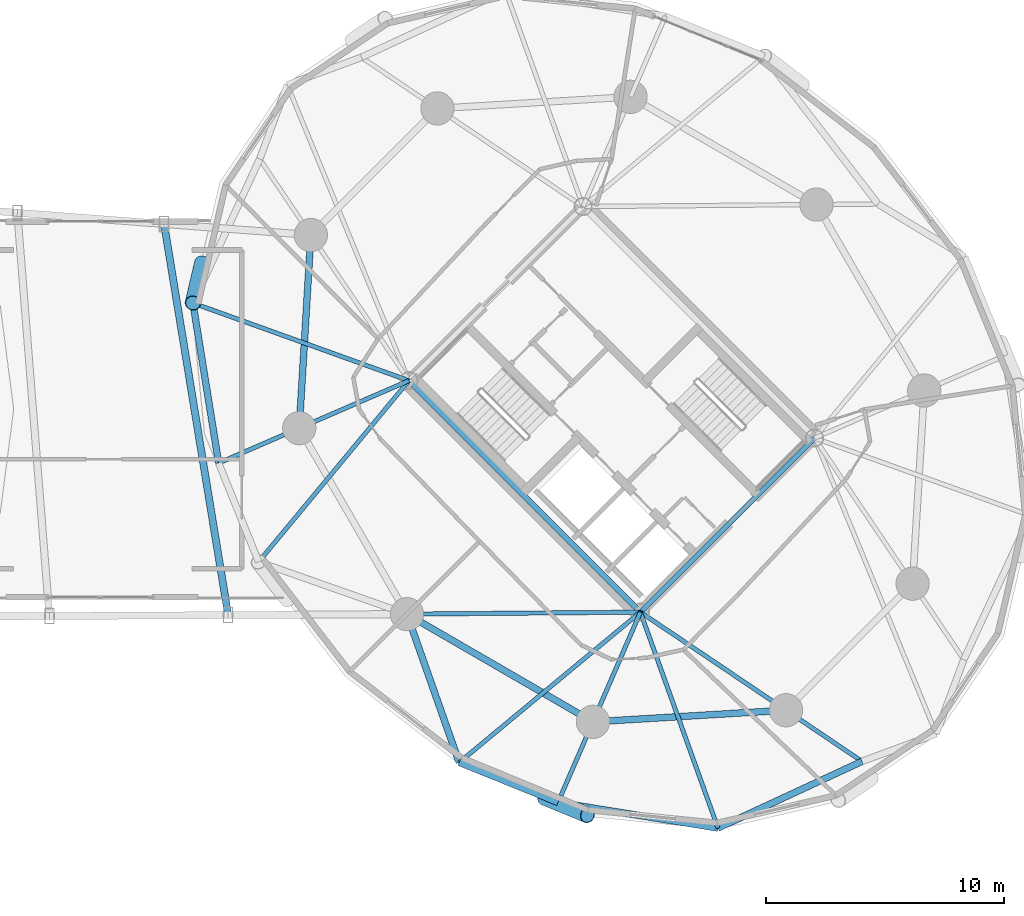
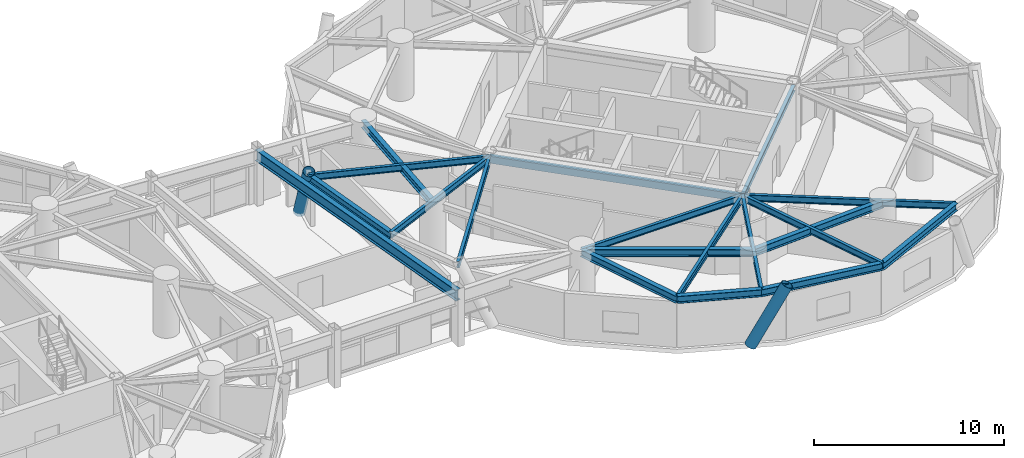
# One storey, part 5 of 19: 19 beams, 2 members.
"""IFC4 building model written with IfcOpenShell, lengths in metres."""

from ifc_helpers import new_model, si_unit, direction, frame, origin, origin_2d, place, context, subcontext, project, spatial, hollow_rectangle, hollow_circle, i_section, extrude, material, material_profile, profile_set, type_object, element, save


model = new_model("IFC4")

# Units and contexts
model_context = context("Model", 3, precision=1e-05, world=origin(), true_north=direction((0.0, 1.0)))
body_context = subcontext(model_context, "Body", "Model", "MODEL_VIEW")
ifc_project = project(units=[si_unit("LENGTHUNIT", "METRE"), si_unit("AREAUNIT", "SQUARE_METRE"), si_unit("VOLUMEUNIT", "CUBIC_METRE"), si_unit("PLANEANGLEUNIT", "RADIAN"), si_unit("MASSUNIT", "GRAM", prefix="KILO")], contexts=[model_context])

# Site, building, storey
site_placement = place(None, origin())
site = spatial("IfcSite", under=ifc_project, at=site_placement, CompositionType="ELEMENT")
building_placement = place(site_placement, origin())
building = spatial("IfcBuilding", under=site, at=building_placement, Name="Cununo Teusaquillo Station Towers", CompositionType="ELEMENT")
storey_placement = place(building_placement, frame((0.0, 0.0, 136.60009765625)))
storey = spatial("IfcBuildingStorey", under=building, at=storey_placement, Name="L43", CompositionType="ELEMENT", Elevation=136.60009765625)

# Beams
ifc_material_1 = material(Name="Steel EN 10025-2 S355J2", Category="steel")
ifc_material_profile_1 = material_profile(ifc_material_1, i_section(OverallWidth=0.300048828125, OverallDepth=0.699951171875, WebThickness=0.01708984375, FlangeThickness=0.031982421875, FilletRadius=0.027099609375, at=origin_2d()), Name="HEB 700")
ifc_profile_set_1 = profile_set([ifc_material_profile_1], Name="Steel EN 10025-2 S355J2")
beam_type_1 = type_object("IfcBeamType", Name="BM-BRG-FLR", PredefinedType="BEAM", material=ifc_profile_set_1)
beam_1_placement = place(storey_placement, frame((41.377685546875, 15.8525390625, 3.08984375), z_axis=(-0.161629984279, 0.986851431666, 0.0), x_axis=(-0.986851431666, -0.161629984279, 0.0)))
element("IfcBeam", 1, at=beam_1_placement, inside=storey, type_object=beam_type_1, Name="L43 Mid-Bridge Transverse Floor Girder 2", PredefinedType="BEAM", context=body_context, shape_type="SweptSolid", body=[
    extrude(i_section(OverallWidth=0.300048828125, OverallDepth=0.699951171875, WebThickness=0.01708984375, FlangeThickness=0.031982421875, FilletRadius=0.027099609375, at=origin_2d()), origin(), (0.0, 0.0, 1.0), 16.66064453125),
])
ifc_material_2 = material(Name="Steel EN 10025-2 S355J2", Category="steel")
ifc_material_profile_2 = material_profile(ifc_material_2, hollow_rectangle(XDim=0.25, YDim=0.449951171875, WallThickness=0.01611328125, at=origin_2d()), Name="RHS 450x250x16")
ifc_profile_set_2 = profile_set([ifc_material_profile_2], Name="Steel EN 10025-2 S355J2")
beam_type_2 = type_object("IfcBeamType", Name="BM-COUP-1", PredefinedType="USERDEFINED", material=ifc_profile_set_2)
beam_2_placement = place(storey_placement, frame((58.70556640625, 15.975830078125, 3.21484375), z_axis=(-0.707106781187, 0.707106781187, 0.0), x_axis=(-0.707106781187, -0.707106781187, 0.0)))
element("IfcBeam", 2, at=beam_2_placement, inside=storey, type_object=beam_type_2, Name="L43 Tower B Core Beam 1", ObjectType="COUPLING BEAM", PredefinedType="USERDEFINED", context=body_context, shape_type="SweptSolid", body=[
    extrude(hollow_rectangle(XDim=0.25, YDim=0.449951171875, WallThickness=0.01611328125, at=origin_2d()), origin(), (0.0, 0.0, 1.0), 13.760009765625),
])
ifc_material_3 = material(Name="Steel ASTM A572 Grade 50", Category="steel")
ifc_material_profile_3 = material_profile(ifc_material_3, i_section(OverallWidth=0.180908203125, OverallDepth=0.4169921875, WebThickness=0.010986328125, FlangeThickness=0.018310546875, FilletRadius=0.012939453125, at=origin_2d()), Name="W16X57")
ifc_profile_set_3 = profile_set([ifc_material_profile_3], Name="Steel ASTM A572 Grade 50")
beam_type_3 = type_object("IfcBeamType", Name="BM-JOIST-1", PredefinedType="JOIST", material=ifc_profile_set_3)
beam_3_placement = place(storey_placement, frame((48.975830078125, 25.70556640625, 3.2314453125), z_axis=(-0.941082771055, 0.338176312038, 0.0), x_axis=(-0.338176312038, -0.941082771055, 0.0)))
element("IfcBeam", 3, at=beam_3_placement, inside=storey, type_object=beam_type_3, Name="L43 Tower B Radial Spandrel Joist V07", PredefinedType="JOIST", context=body_context, shape_type="SweptSolid", body=[
    extrude(i_section(OverallWidth=0.180908203125, OverallDepth=0.4169921875, WebThickness=0.010986328125, FlangeThickness=0.018310546875, FilletRadius=0.012939453125, at=origin_2d()), origin(), (0.0, 0.0, 1.0), 9.646484375),
])
for number, where, z_axis, x_axis, name in (
    (4, (48.975830078125, 25.70556640625, 3.2314453125), (-0.638372238196, -0.769727799615, 0.0), (0.769727799615, -0.638372238196, 0.0), "L43 Tower B Radial Spandrel Joist V09"),
    (5, (58.70556640625, 15.975830078125, 3.2314453125), (-0.769727799615, -0.638372238196, 0.0), (0.638372238196, -0.769727799615, 0.0), "L43 Tower B Radial Spandrel Joist V11"),
):
    element("IfcBeam", number, at=place(storey_placement, frame(where, z_axis=z_axis, x_axis=x_axis)), inside=storey, type_object=beam_type_3, Name=name, PredefinedType="JOIST", context=body_context, shape_type="SweptSolid", body=[
        extrude(i_section(OverallWidth=0.180908203125, OverallDepth=0.4169921875, WebThickness=0.010986328125, FlangeThickness=0.018310546875, FilletRadius=0.012939453125, at=origin_2d()), origin(), (0.0, 0.0, 1.0), 9.895263671875),
    ])
beam_4_placement = place(storey_placement, frame((58.70556640625, 15.975830078125, 3.2314453125), z_axis=(0.338176312038, -0.941082771055, 0.0), x_axis=(0.941082771055, 0.338176312038, 0.0)))
element("IfcBeam", 6, at=beam_4_placement, inside=storey, type_object=beam_type_3, Name="L43 Tower B Radial Spandrel Joist V13", PredefinedType="JOIST", context=body_context, shape_type="SweptSolid", body=[
    extrude(i_section(OverallWidth=0.180908203125, OverallDepth=0.4169921875, WebThickness=0.010986328125, FlangeThickness=0.018310546875, FilletRadius=0.012939453125, at=origin_2d()), origin(), (0.0, 0.0, 1.0), 9.646484375),
])
ifc_material_4 = material(Name="Steel ASTM A572 Grade 50", Category="steel")
ifc_material_profile_4 = material_profile(ifc_material_4, i_section(OverallWidth=0.2041015625, OverallDepth=0.35009765625, WebThickness=0.008544921875, FlangeThickness=0.01513671875, FilletRadius=0.011962890625, at=origin_2d()), Name="W14X48")
ifc_profile_set_4 = profile_set([ifc_material_profile_4], Name="Steel ASTM A572 Grade 50")
beam_type_4 = type_object("IfcBeamType", Name="BM-LINTEL-1", PredefinedType="LINTEL", material=ifc_profile_set_4)
beam_5_placement = place(storey_placement, frame((58.70556640625, 15.975830078125, 3.264892578125), z_axis=(0.707106781187, 0.707106781187, 0.0), x_axis=(-0.707106781187, 0.707106781187, 0.0)))
element("IfcBeam", 7, at=beam_5_placement, inside=storey, type_object=beam_type_4, Name="L43 Tower B Core Beam 3", PredefinedType="LINTEL", context=body_context, shape_type="SweptSolid", body=[
    extrude(i_section(OverallWidth=0.2041015625, OverallDepth=0.35009765625, WebThickness=0.008544921875, FlangeThickness=0.01513671875, FilletRadius=0.011962890625, at=origin_2d()), origin(), (0.0, 0.0, 1.0), 10.35009765625),
])
ifc_material_5 = material(Name="Steel ASTM A572 Grade 50", Category="steel")
ifc_material_profile_5 = material_profile(ifc_material_5, i_section(OverallWidth=0.180908203125, OverallDepth=0.4169921875, WebThickness=0.010986328125, FlangeThickness=0.018310546875, FilletRadius=0.012939453125, at=origin_2d()), Name="W16X57")
ifc_profile_set_5 = profile_set([ifc_material_profile_5], Name="Steel ASTM A572 Grade 50")
beam_type_5 = type_object("IfcBeamType", Name="BM-RAD-G2", PredefinedType="BEAM", material=ifc_profile_set_5)
beam_6_placement = place(storey_placement, frame((48.975830078125, 25.70556640625, 3.2314453125), z_axis=(-0.917654733344, -0.397378648609, 0.0), x_axis=(0.397378648609, -0.917654733344, 0.0)))
element("IfcBeam", 8, at=beam_6_placement, inside=storey, type_object=beam_type_5, Name="L43 Tower B Continuous Overhanging Radial Girder 05", PredefinedType="BEAM", context=body_context, shape_type="SweptSolid", body=[
    extrude(i_section(OverallWidth=0.180908203125, OverallDepth=0.4169921875, WebThickness=0.010986328125, FlangeThickness=0.018310546875, FilletRadius=0.012939453125, at=origin_2d()), origin(), (0.0, 0.0, 1.0), 8.71484375),
])
beam_7_placement = place(storey_placement, frame((58.70556640625, 15.975830078125, 3.2314453125), z_axis=(-0.999964431382, -0.008434214327, 0.0), x_axis=(0.008434214327, -0.999964431382, 0.0)))
element("IfcBeam", 9, at=beam_7_placement, inside=storey, type_object=beam_type_5, Name="L43 Tower B Radial Girder 06A", PredefinedType="BEAM", context=body_context, shape_type="SweptSolid", body=[
    extrude(i_section(OverallWidth=0.180908203125, OverallDepth=0.4169921875, WebThickness=0.010986328125, FlangeThickness=0.018310546875, FilletRadius=0.012939453125, at=origin_2d()), origin(), (0.0, 0.0, 1.0), 9.812744140625),
])
beam_8_placement = place(storey_placement, frame((58.70556640625, 15.975830078125, 3.2314453125), z_axis=(-0.397378648609, -0.917654733344, 0.0), x_axis=(0.917654733344, -0.397378648609, 0.0)))
element("IfcBeam", 10, at=beam_8_placement, inside=storey, type_object=beam_type_5, Name="L43 Tower B Continuous Overhanging Radial Girder 07", PredefinedType="BEAM", context=body_context, shape_type="SweptSolid", body=[
    extrude(i_section(OverallWidth=0.180908203125, OverallDepth=0.4169921875, WebThickness=0.010986328125, FlangeThickness=0.018310546875, FilletRadius=0.012939453125, at=origin_2d()), origin(), (0.0, 0.0, 1.0), 8.71484375),
])
beam_9_placement = place(storey_placement, frame((58.70556640625, 15.975830078125, 3.2314453125), z_axis=(0.82945583878, -0.558572297481, 0.0), x_axis=(0.558572297481, 0.82945583878, 0.0)))
element("IfcBeam", 11, at=beam_9_placement, inside=storey, type_object=beam_type_5, Name="L43 Tower B Continuous Overhanging Radial Girder 08", PredefinedType="BEAM", context=body_context, shape_type="SweptSolid", body=[
    extrude(i_section(OverallWidth=0.180908203125, OverallDepth=0.4169921875, WebThickness=0.010986328125, FlangeThickness=0.018310546875, FilletRadius=0.012939453125, at=origin_2d()), origin(), (0.0, 0.0, 1.0), 11.22998046875),
])
ifc_material_6 = material(Name="Steel ASTM A572 Grade 50", Category="steel")
ifc_material_profile_6 = material_profile(ifc_material_6, i_section(OverallWidth=0.280029296875, OverallDepth=0.462890625, WebThickness=0.0107421875, FlangeThickness=0.017333984375, FilletRadius=0.013916015625, at=origin_2d()), Name="W18X76")
ifc_profile_set_6 = profile_set([ifc_material_profile_6], Name="Steel ASTM A572 Grade 50")
beam_type_6 = type_object("IfcBeamType", Name="BM-RING-Z2", PredefinedType="SPANDREL", material=ifc_profile_set_6)
beam_10_placement = place(storey_placement, frame((44.853759765625, 31.826904296875, 3.20849609375), z_axis=(-0.06012979176, -0.998190567048, 0.0), x_axis=(0.998190567048, -0.06012979176, 0.0)))
element("IfcBeam", 12, at=beam_10_placement, inside=storey, type_object=beam_type_6, Name="L43 Tower B Structural Column Ring Girder 04", PredefinedType="SPANDREL", context=body_context, shape_type="SweptSolid", body=[
    extrude(i_section(OverallWidth=0.280029296875, OverallDepth=0.462890625, WebThickness=0.0107421875, FlangeThickness=0.017333984375, FilletRadius=0.013916015625, at=origin_2d()), origin(), (0.0, 0.0, 1.0), 8.132568359375),
])
beam_11_placement = place(storey_placement, frame((48.89306640625, 15.89306640625, 3.20849609375), z_axis=(0.865267103202, -0.501311121078, 0.0), x_axis=(0.501311121078, 0.865267103202, 0.0)))
element("IfcBeam", 13, at=beam_11_placement, inside=storey, type_object=beam_type_6, Name="L43 Tower B Structural Column Ring Girder 06", PredefinedType="SPANDREL", context=body_context, shape_type="SweptSolid", body=[
    extrude(i_section(OverallWidth=0.280029296875, OverallDepth=0.462890625, WebThickness=0.0107421875, FlangeThickness=0.017333984375, FilletRadius=0.013916015625, at=origin_2d()), origin(), (0.0, 0.0, 1.0), 9.032958984375),
])
beam_12_placement = place(storey_placement, frame((56.708984375, 11.36474609375, 3.20849609375), z_axis=(0.998190567048, 0.06012979176, 0.0), x_axis=(-0.06012979176, 0.998190567048, 0.0)))
element("IfcBeam", 14, at=beam_12_placement, inside=storey, type_object=beam_type_6, Name="L43 Tower B Structural Column Ring Girder 07", PredefinedType="SPANDREL", context=body_context, shape_type="SweptSolid", body=[
    extrude(i_section(OverallWidth=0.280029296875, OverallDepth=0.462890625, WebThickness=0.0107421875, FlangeThickness=0.017333984375, FilletRadius=0.013916015625, at=origin_2d()), origin(), (0.0, 0.0, 1.0), 8.132568359375),
])
beam_13_placement = place(storey_placement, frame((39.897705078125, 28.9677734375, 3.20849609375), z_axis=(0.158671232312, -0.987331474246, 0.0), x_axis=(0.987331474246, 0.158671232312, 0.0)))
element("IfcBeam", 15, at=beam_13_placement, inside=storey, type_object=beam_type_6, Name="L43 Tower B Spandrel Ring Beam 08", PredefinedType="SPANDREL", context=body_context, shape_type="SweptSolid", body=[
    extrude(i_section(OverallWidth=0.280029296875, OverallDepth=0.462890625, WebThickness=0.0107421875, FlangeThickness=0.017333984375, FilletRadius=0.013916015625, at=origin_2d()), origin(), (0.0, 0.0, 1.0), 6.8115234375),
])
beam_14_placement = place(storey_placement, frame((48.89306640625, 15.89306640625, 3.20849609375), z_axis=(0.332217227276, -0.943202901767, 0.0), x_axis=(0.943202901767, 0.332217227276, 0.0)))
element("IfcBeam", 16, at=beam_14_placement, inside=storey, type_object=beam_type_6, Name="L43 Tower B Spandrel Ring Beam 11", PredefinedType="SPANDREL", context=body_context, shape_type="SweptSolid", body=[
    extrude(i_section(OverallWidth=0.280029296875, OverallDepth=0.462890625, WebThickness=0.0107421875, FlangeThickness=0.017333984375, FilletRadius=0.013916015625, at=origin_2d()), origin(), (0.0, 0.0, 1.0), 6.609619140625),
])
beam_15_placement = place(storey_placement, frame((51.0888671875, 9.658935546875, 3.20849609375), z_axis=(0.927007712072, -0.375042266631, 0.0), x_axis=(0.375042266631, 0.927007712072, 0.0)))
element("IfcBeam", 17, at=beam_15_placement, inside=storey, type_object=beam_type_6, Name="L43 Tower B Spandrel Ring Beam 12", PredefinedType="SPANDREL", context=body_context, shape_type="SweptSolid", body=[
    extrude(i_section(OverallWidth=0.280029296875, OverallDepth=0.462890625, WebThickness=0.0107421875, FlangeThickness=0.017333984375, FilletRadius=0.013916015625, at=origin_2d()), origin(), (0.0, 0.0, 1.0), 4.480712890625),
])
beam_16_placement = place(storey_placement, frame((55.242431640625, 7.978515625, 3.20849609375), z_axis=(0.987331474246, -0.158671232312, 0.0), x_axis=(0.158671232312, 0.987331474246, 0.0)))
element("IfcBeam", 18, at=beam_16_placement, inside=storey, type_object=beam_type_6, Name="L43 Tower B Spandrel Ring Beam 13", PredefinedType="SPANDREL", context=body_context, shape_type="SweptSolid", body=[
    extrude(i_section(OverallWidth=0.280029296875, OverallDepth=0.462890625, WebThickness=0.0107421875, FlangeThickness=0.017333984375, FilletRadius=0.013916015625, at=origin_2d()), origin(), (0.0, 0.0, 1.0), 6.8115234375),
])
beam_17_placement = place(storey_placement, frame((61.9677734375, 6.897705078125, 3.20849609375), z_axis=(0.907275870354, 0.420535961689, 0.0), x_axis=(-0.420535961689, 0.907275870354, 0.0)))
element("IfcBeam", 19, at=beam_17_placement, inside=storey, type_object=beam_type_6, Name="L43 Tower B Spandrel Ring Beam 14", PredefinedType="SPANDREL", context=body_context, shape_type="SweptSolid", body=[
    extrude(i_section(OverallWidth=0.280029296875, OverallDepth=0.462890625, WebThickness=0.0107421875, FlangeThickness=0.017333984375, FilletRadius=0.013916015625, at=origin_2d()), origin(), (0.0, 0.0, 1.0), 6.671142578125),
])

# Members
ifc_material_7 = material(Name="Steel EN 10025-2 S355J2", Category="steel")
ifc_material_profile_7 = material_profile(ifc_material_7, hollow_circle(Radius=0.330078125, WallThickness=0.02490234375, at=origin_2d()), Name="CHS 660x25")
ifc_profile_set_7 = profile_set([ifc_material_profile_7], Name="Steel EN 10025-2 S355J2")
member_type = type_object("IfcMemberType", Name="MBR-DIAG-Z2", PredefinedType="BRACE", material=ifc_profile_set_7)
member_1_placement = place(storey_placement, frame((40.2900390625, 30.651611328125, -0.14013671875), z_axis=(-0.095641677979, -0.410479560061, 0.906840228599), x_axis=(0.973913029911, -0.226921594761, 0.0)))
element("IfcMember", 20, at=member_1_placement, inside=storey, type_object=member_type, Name="L43 Tower B Folded-Zigzag Diagrid Tube C06", PredefinedType="BRACE", context=body_context, shape_type="SweptSolid", body=[
    extrude(hollow_circle(Radius=0.330078125, WallThickness=0.02490234375, at=origin_2d()), origin(), (0.0, 0.0, 1.0), 4.10205078125),
])
member_2_placement = place(storey_placement, frame((54.681884765625, 8.181884765625, -0.14013671875), z_axis=(0.428067910184, -0.175986059841, 0.886446146707), x_axis=(0.380237656053, 0.924888817599, 0.0)))
element("IfcMember", 21, at=member_2_placement, inside=storey, type_object=member_type, Name="L43 Tower B Folded-Zigzag Diagrid Tube C11", PredefinedType="BRACE", context=body_context, shape_type="SweptSolid", body=[
    extrude(hollow_circle(Radius=0.330078125, WallThickness=0.02490234375, at=origin_2d()), origin(), (0.0, 0.0, 1.0), 4.196533203125),
])

save(model, "model.ifc")
